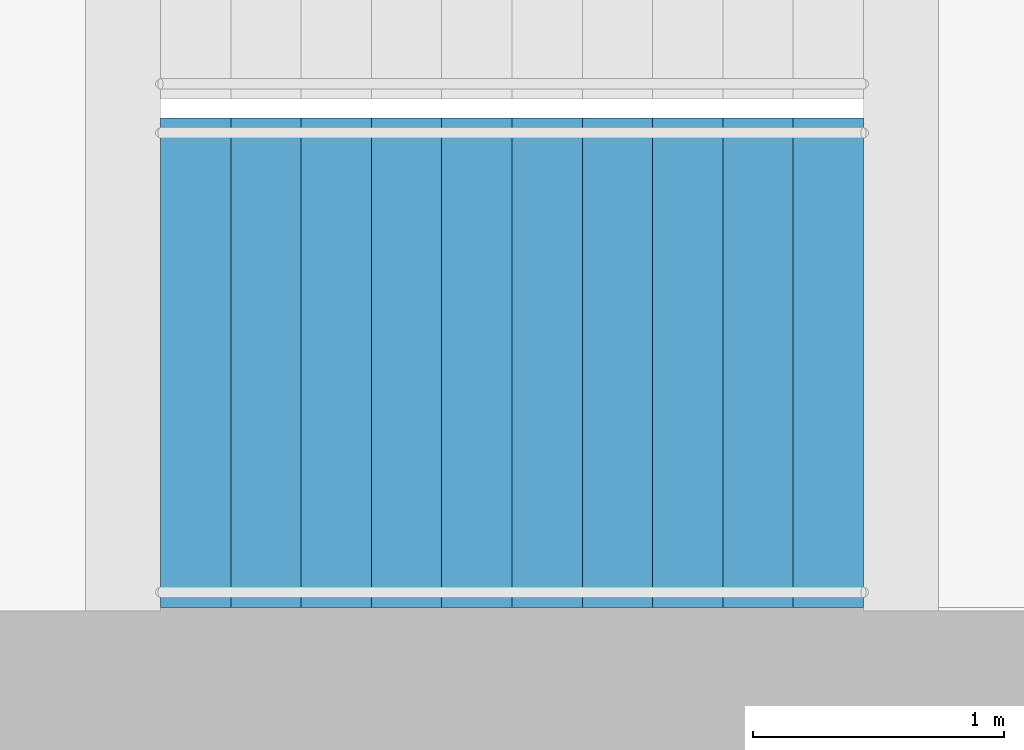
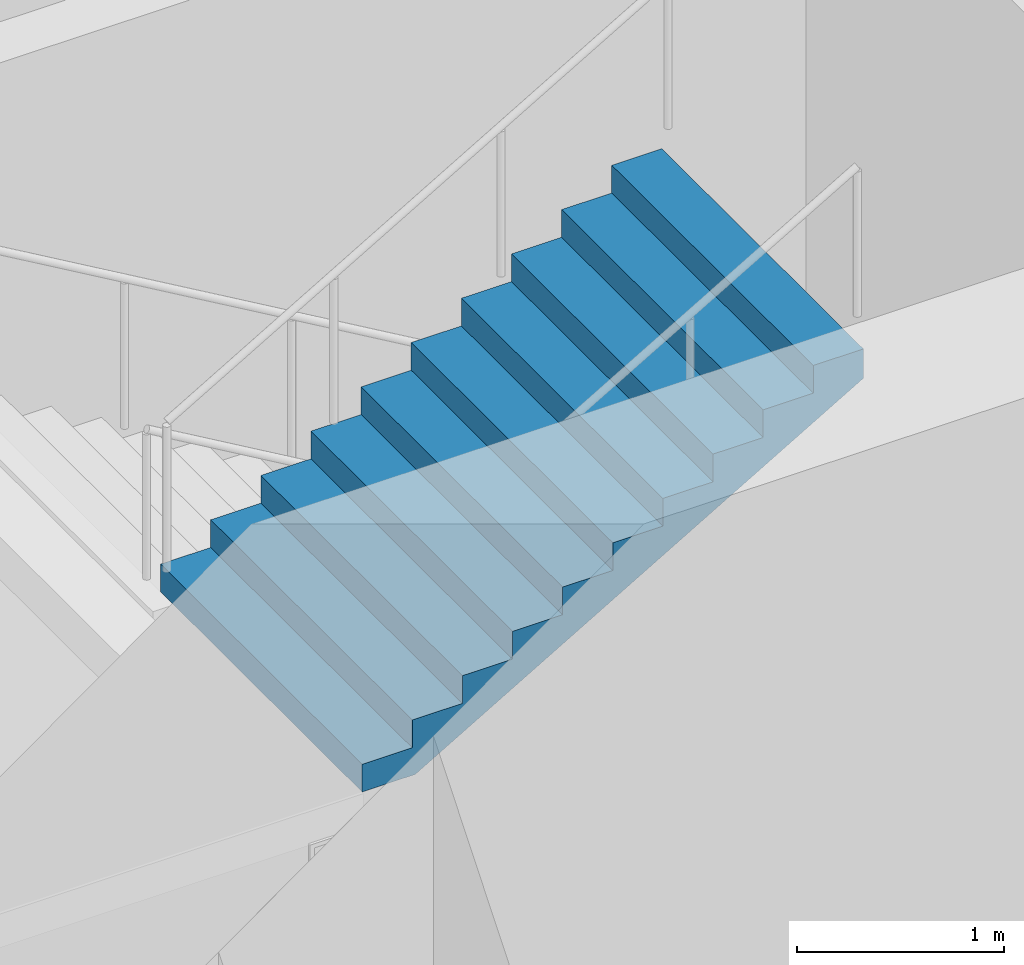
# One storey, part 19 of 22: 1 stair flight, 1 element without a shape of its own.
"""IFC4 building model written with IfcOpenShell, lengths in metres."""

import ifcopenshell
import ifcopenshell.guid

model = None  # the IFC model being written
_history = None  # IfcOwnerHistory: only IFC2X3 demands one
_inside = {}  # id of a spatial element -> (the spatial element, [elements in it])
_under = {}  # id of a project, library or spatial element -> (it, [spatial elements below it])
_declared = {}  # id of a project -> (the project, [libraries it declares])
_typed = {}  # id of a type object -> (the type object, [elements of that type])
_made_of = {}  # id of a material, layer set ... -> (it, [elements and type objects made of it])


def new_model(schema):
    """Start an empty IFC model of exactly this schema.

    Asked for "IFC4X3", IfcOpenShell would pick the latest addendum, in which some entities
    have other attributes; the version numbers below select the first issue.
    IFC2X3 requires an IfcOwnerHistory on every rooted entity: one is made here for all.
    """
    global model, _history
    if schema == "IFC4X3":
        model = ifcopenshell.file(schema_version=(4, 3, 0, 0))
    else:
        model = ifcopenshell.file(schema=schema)
    _inside.clear()
    _under.clear()
    _declared.clear()
    _typed.clear()
    _made_of.clear()
    _history = None
    if model.schema == "IFC2X3":
        org = make("IfcOrganization", Name="unknown")
        user = make(
            "IfcPersonAndOrganization",
            ThePerson=make("IfcPerson", FamilyName="unknown"),
            TheOrganization=org,
        )
        app = make(
            "IfcApplication",
            ApplicationDeveloper=org,
            Version="unknown",
            ApplicationFullName="unknown",
            ApplicationIdentifier="unknown",
        )
        _history = make(
            "IfcOwnerHistory",
            OwningUser=user,
            OwningApplication=app,
            ChangeAction="ADDED",
            CreationDate=0,
        )
    return model


def make(cls, **values):
    """One entity of the class cls with the attributes given. An attribute that is None is left unset."""
    return model.create_entity(
        cls, **{name: value for name, value in values.items() if value is not None}
    )


def rooted(cls, **values):
    """An entity with a GlobalId (a new one), such as an element, a storey or a relation."""
    return make(cls, GlobalId=ifcopenshell.guid.new(), OwnerHistory=_history, **values)


def si_unit(unit_type, name, prefix=None):
    """IfcSIUnit, for example si_unit("LENGTHUNIT", "METRE", prefix="MILLI")."""
    return make("IfcSIUnit", UnitType=unit_type, Prefix=prefix, Name=name)


def assignment(units):
    """IfcUnitAssignment: the units of a project."""
    return None if units is None else make("IfcUnitAssignment", Units=units)


def point(xyz):
    """IfcCartesianPoint."""
    return None if xyz is None else make("IfcCartesianPoint", Coordinates=xyz)


def direction(xyz):
    """IfcDirection."""
    return None if xyz is None else make("IfcDirection", DirectionRatios=xyz)


def frame(location, z_axis=None, x_axis=None):
    """IfcAxis2Placement3D, a coordinate frame: its origin and axes. An axis left out is left unset."""
    return make(
        "IfcAxis2Placement3D",
        Location=point(location),
        Axis=direction(z_axis),
        RefDirection=direction(x_axis),
    )


def origin():
    """The frame at (0, 0, 0) with its axes left unset."""
    return frame((0.0, 0.0, 0.0))


def place(relative_to, where):
    """IfcLocalPlacement: puts the frame where relative to a parent placement (None: the world)."""
    return make(
        "IfcLocalPlacement", PlacementRelTo=relative_to, RelativePlacement=where
    )


def context(
    kind, dimensions, precision=None, world=None, true_north=None, identifier=None
):
    """IfcGeometricRepresentationContext, for example the 3D "Model" context."""
    return make(
        "IfcGeometricRepresentationContext",
        ContextIdentifier=identifier,
        ContextType=kind,
        CoordinateSpaceDimension=dimensions,
        Precision=precision,
        WorldCoordinateSystem=world,
        TrueNorth=true_north,
    )


def subcontext(parent, identifier, kind, view, scale=None):
    """IfcGeometricRepresentationSubContext, for example "Body" below "Model"."""
    return make(
        "IfcGeometricRepresentationSubContext",
        ContextIdentifier=identifier,
        ContextType=kind,
        ParentContext=parent,
        TargetScale=scale,
        TargetView=view,
    )


def project(units=None, contexts=None):
    """IfcProject with its units and contexts."""
    return rooted(
        "IfcProject",
        Name="project",
        RepresentationContexts=contexts,
        UnitsInContext=assignment(units),
    )


def spatial(cls, under=None, at=None, **own):
    """A site, building, storey or space (cls), placed at a placement, below another one or the project."""
    s = rooted(cls, ObjectPlacement=at, **own)
    if under is not None:
        _under.setdefault(under.id(), (under, []))[1].append(s)
    return s


def point_list(points):
    """IfcCartesianPointList2D or 3D."""
    cls = (
        "IfcCartesianPointList2D" if len(points[0]) == 2 else "IfcCartesianPointList3D"
    )
    return make(cls, CoordList=points)


def triangles(points, corners, closed=None, point_numbers=None):
    """IfcTriangulatedFaceSet: each triangle names its three corners, points numbered from 1."""
    return make(
        "IfcTriangulatedFaceSet",
        Coordinates=point_list(points),
        Closed=closed,
        CoordIndex=corners,
        PnIndex=point_numbers,
    )


def shape(context_of_items, identifier, shape_type, items):
    """IfcShapeRepresentation: the items that make up one representation, for example the "Body"."""
    return make(
        "IfcShapeRepresentation",
        ContextOfItems=context_of_items,
        RepresentationIdentifier=identifier,
        RepresentationType=shape_type,
        Items=items,
    )


def material(Name=None, Category=None):
    """IfcMaterial."""
    return make("IfcMaterial", Name=Name, Category=Category)


def made_of(thing, what):
    """Note that an element or type object is made of a material, layer set ...; save() writes the relation."""
    if what is not None:
        _made_of.setdefault(what.id(), (what, []))[1].append(thing)
    return thing


def type_object(cls, material=None, **own):
    """A type object (cls), such as IfcWallType, which elements share."""
    return made_of(rooted(cls, **own), material)


def element(
    cls,
    number,
    at=None,
    inside=None,
    cuts=None,
    type_object=None,
    material=None,
    context=None,
    identifier="Body",
    shape_type=None,
    held_by="IfcProductDefinitionShape",
    body=None,
    shapes=None,
    **own,
):
    """One element of the class cls, such as IfcWall. Its Tag is "e" and its number.

    at: its placement. inside: the storey or other place that contains it. cuts: it is an
    opening in that element (IfcRelVoidsElement). A single representation is given by context,
    identifier, shape_type and body (its items); several are given by shapes. held_by: the class
    of the entity that holds the representations. save() writes the other relations.
    """
    e = rooted(cls, Tag="e%d" % number, ObjectPlacement=at, **own)
    if body is not None:
        shapes = [shape(context, identifier, shape_type, body)]
    if shapes is not None:
        e.Representation = make(held_by, Representations=shapes)
    if inside is not None:
        _inside.setdefault(inside.id(), (inside, []))[1].append(e)
    if cuts is not None:
        rooted(
            "IfcRelVoidsElement", RelatingBuildingElement=cuts, RelatedOpeningElement=e
        )
    if type_object is not None:
        _typed.setdefault(type_object.id(), (type_object, []))[1].append(e)
    return made_of(e, material)


def aggregate(whole, parts):
    """IfcRelAggregates: a whole, such as a stair, and the parts it consists of."""
    return rooted("IfcRelAggregates", RelatingObject=whole, RelatedObjects=parts)


def save(model, path):
    """Write the relations noted so far, then the file.

    IfcRelAggregates (storeys below a building ...), IfcRelContainedInSpatialStructure (elements
    in a storey), IfcRelDefinesByType, IfcRelAssociatesMaterial and IfcRelDeclares: one each for
    every whole, place, type object, material and project.
    """
    for whole, parts in _under.values():
        aggregate(whole, parts)
    for where, things in _inside.values():
        rooted(
            "IfcRelContainedInSpatialStructure",
            RelatedElements=things,
            RelatingStructure=where,
        )
    for kind, things in _typed.values():
        rooted("IfcRelDefinesByType", RelatedObjects=things, RelatingType=kind)
    for what, things in _made_of.values():
        rooted("IfcRelAssociatesMaterial", RelatedObjects=things, RelatingMaterial=what)
    for by, libraries in _declared.values():
        rooted("IfcRelDeclares", RelatingContext=by, RelatedDefinitions=libraries)
    model.write(path)


model = new_model("IFC4")

# Units and contexts
model_context = context("Model", 3, precision=1e-05, world=origin(), true_north=direction((0.0, 1.0)))
body_context = subcontext(model_context, "Body", "Model", "MODEL_VIEW")
ifc_project = project(units=[si_unit("LENGTHUNIT", "METRE"), si_unit("AREAUNIT", "SQUARE_METRE"), si_unit("VOLUMEUNIT", "CUBIC_METRE"), si_unit("PLANEANGLEUNIT", "RADIAN"), si_unit("MASSUNIT", "GRAM", prefix="KILO")], contexts=[model_context])

# Site, building, storey
site_placement = place(None, origin())
site = spatial("IfcSite", under=ifc_project, at=site_placement, CompositionType="ELEMENT")
building_placement = place(site_placement, origin())
building = spatial("IfcBuilding", under=site, at=building_placement, Name="Orbita Commons", CompositionType="ELEMENT")
storey_placement = place(building_placement, frame((0.0, 0.0, 133.14990234375)))
storey = spatial("IfcBuildingStorey", under=building, at=storey_placement, Name="L33", CompositionType="ELEMENT", Elevation=133.14990234375)

# Stair, stair flight
ifc_material_1 = material(Name="Precast concrete C40/50", Category="concrete")
stair_type = type_object("IfcStairType", Name="Exit stair S2 4 flights 11 risers 164", PredefinedType="HALF_TURN_STAIR", material=ifc_material_1)
stair_placement = place(storey_placement, origin())
stair = element("IfcStair", 1, at=stair_placement, inside=storey, type_object=stair_type, Name="Exit stair S2 L33", PredefinedType="HALF_TURN_STAIR")
ifc_material_2 = material(Name="Precast concrete C40/50", Category="concrete")
stair_flight_type = type_object("IfcStairFlightType", Name="Stair flight 11 risers 164 x 280", PredefinedType="STRAIGHT", material=ifc_material_2)
stair_flight_placement = place(storey_placement, frame((60.75, 27.25, 5.400146484375), z_axis=(0.0, 0.0, 1.0), x_axis=(1.0, 0.0, 0.0)))
stair_flight = element("IfcStairFlight", 2, at=stair_flight_placement, type_object=stair_flight_type, Name="S2 flight 4", NumberOfRisers=11, NumberOfTreads=10, PredefinedType="STRAIGHT", RiserHeight=0.163636364, TreadLength=0.28, context=body_context, shape_type="Tessellation", body=[
    triangles([(0.0, 0.974976, 0.0), (0.0, 0.974976, 0.020455), (0.0, 0.81248, 0.020455), (0.0, 0.81248, 0.0), (0.0, 0.649984, 0.020455), (0.0, 0.649984, 0.0), (0.0, 0.487488, 0.020455), (0.0, 0.487488, 0.0), (0.0, 0.324992, 0.020455), (0.0, 0.324992, 0.0), (0.0, 0.162496, 0.020455), (0.0, 0.162496, 0.0), (0.0, 0.0, 0.020455), (0.0, 0.0, 0.0), (0.0, -0.162496, 0.020455), (0.0, -0.162496, 0.0), (0.0, -0.324992, 0.020455), (0.0, -0.324992, 0.0), (0.0, -0.487488, 0.020455), (0.0, -0.487488, 0.0), (0.0, -0.649984, 0.020455), (0.0, -0.649984, 0.0), (0.0, -0.81248, 0.020455), (0.0, -0.81248, 0.0), (0.0, -0.974976, 0.020455), (0.0, -0.974976, 0.0), (0.0, 0.974976, 0.040909), (0.0, 0.81248, 0.040909), (0.0, 0.649984, 0.040909), (0.0, 0.487488, 0.040909), (0.0, 0.324992, 0.040909), (0.0, 0.162496, 0.040909), (0.0, 0.0, 0.040909), (0.0, -0.162496, 0.040909), (0.0, -0.324992, 0.040909), (0.0, -0.487488, 0.040909), (0.0, -0.649984, 0.040909), (0.0, -0.81248, 0.040909), (0.0, -0.974976, 0.040909), (0.0, 0.974976, 0.061364), (0.0, 0.81248, 0.061364), (0.0, 0.649984, 0.061364), (0.0, 0.487488, 0.061364), (0.0, 0.324992, 0.061364), (0.0, 0.162496, 0.061364), (0.0, 0.0, 0.061364), (0.0, -0.162496, 0.061364), (0.0, -0.324992, 0.061364), (0.0, -0.487488, 0.061364), (0.0, -0.649984, 0.061364), (0.0, -0.81248, 0.061364), (0.0, -0.974976, 0.061364), (0.0, 0.974976, 0.081818), (0.0, 0.81248, 0.081818), (0.0, 0.649984, 0.081818), (0.0, 0.487488, 0.081818), (0.0, 0.324992, 0.081818), (0.0, 0.162496, 0.081818), (0.0, 0.0, 0.081818), (0.0, -0.162496, 0.081818), (0.0, -0.324992, 0.081818), (0.0, -0.487488, 0.081818), (0.0, -0.649984, 0.081818), (0.0, -0.81248, 0.081818), (0.0, -0.974976, 0.081818), (0.0, 0.974976, 0.102273), (0.0, 0.81248, 0.102273), (0.0, 0.649984, 0.102273), (0.0, 0.487488, 0.102273), (0.0, 0.324992, 0.102273), (0.0, 0.162496, 0.102273), (0.0, 0.0, 0.102273), (0.0, -0.162496, 0.102273), (0.0, -0.324992, 0.102273), (0.0, -0.487488, 0.102273), (0.0, -0.649984, 0.102273), (0.0, -0.81248, 0.102273), (0.0, -0.974976, 0.102273), (0.0, 0.974976, 0.122727), (0.0, 0.81248, 0.122727), (0.0, 0.649984, 0.122727), (0.0, 0.487488, 0.122727), (0.0, 0.324992, 0.122727), (0.0, 0.162496, 0.122727), (0.0, 0.0, 0.122727), (0.0, -0.162496, 0.122727), (0.0, -0.324992, 0.122727), (0.0, -0.487488, 0.122727), (0.0, -0.649984, 0.122727), (0.0, -0.81248, 0.122727), (0.0, -0.974976, 0.122727), (0.0, 0.974976, 0.143182), (0.0, 0.81248, 0.143182), (0.0, 0.649984, 0.143182), (0.0, 0.487488, 0.143182), (0.0, 0.324992, 0.143182), (0.0, 0.162496, 0.143182), (0.0, 0.0, 0.143182), (0.0, -0.162496, 0.143182), (0.0, -0.324992, 0.143182), (0.0, -0.487488, 0.143182), (0.0, -0.649984, 0.143182), (0.0, -0.81248, 0.143182), (0.0, -0.974976, 0.143182), (0.0, 0.974976, 0.163636), (0.0, 0.81248, 0.163636), (0.0, 0.649984, 0.163636), (0.0, 0.487488, 0.163636), (0.0, 0.324992, 0.163636), (0.0, 0.162496, 0.163636), (0.0, 0.0, 0.163636), (0.0, -0.162496, 0.163636), (0.0, -0.324992, 0.163636), (0.0, -0.487488, 0.163636), (0.0, -0.649984, 0.163636), (0.0, -0.81248, 0.163636), (0.0, -0.974976, 0.163636), (0.28, 0.974976, 0.163636), (0.28, 0.81248, 0.163636), (0.28, 0.649984, 0.163636), (0.28, 0.487488, 0.163636), (0.28, 0.324992, 0.163636), (0.28, 0.162496, 0.163636), (0.28, 0.0, 0.163636), (0.28, -0.162496, 0.163636), (0.28, -0.324992, 0.163636), (0.28, -0.487488, 0.163636), (0.28, -0.649984, 0.163636), (0.28, -0.81248, 0.163636), (0.28, -0.974976, 0.163636), (0.28, 0.974976, 0.327273), (0.28, 0.81248, 0.327273), (0.28, 0.649984, 0.327273), (0.28, 0.487488, 0.327273), (0.28, 0.324992, 0.327273), (0.28, 0.162496, 0.327273), (0.28, 0.0, 0.327273), (0.28, -0.162496, 0.327273), (0.28, -0.324992, 0.327273), (0.28, -0.487488, 0.327273), (0.28, -0.649984, 0.327273), (0.28, -0.81248, 0.327273), (0.28, -0.974976, 0.327273), (0.56, 0.974976, 0.327273), (0.56, 0.81248, 0.327273), (0.56, 0.649984, 0.327273), (0.56, 0.487488, 0.327273), (0.56, 0.324992, 0.327273), (0.56, 0.162496, 0.327273), (0.56, 0.0, 0.327273), (0.56, -0.162496, 0.327273), (0.56, -0.324992, 0.327273), (0.56, -0.487488, 0.327273), (0.56, -0.649984, 0.327273), (0.56, -0.81248, 0.327273), (0.56, -0.974976, 0.327273), (0.56, 0.974976, 0.490909), (0.56, 0.81248, 0.490909), (0.56, 0.649984, 0.490909), (0.56, 0.487488, 0.490909), (0.56, 0.324992, 0.490909), (0.56, 0.162496, 0.490909), (0.56, 0.0, 0.490909), (0.56, -0.162496, 0.490909), (0.56, -0.324992, 0.490909), (0.56, -0.487488, 0.490909), (0.56, -0.649984, 0.490909), (0.56, -0.81248, 0.490909), (0.56, -0.974976, 0.490909), (0.84, 0.974976, 0.490909), (0.84, 0.81248, 0.490909), (0.84, 0.649984, 0.490909), (0.84, 0.487488, 0.490909), (0.84, 0.324992, 0.490909), (0.84, 0.162496, 0.490909), (0.84, 0.0, 0.490909), (0.84, -0.162496, 0.490909), (0.84, -0.324992, 0.490909), (0.84, -0.487488, 0.490909), (0.84, -0.649984, 0.490909), (0.84, -0.81248, 0.490909), (0.84, -0.974976, 0.490909), (0.84, 0.974976, 0.654545), (0.84, 0.81248, 0.654545), (0.84, 0.649984, 0.654545), (0.84, 0.487488, 0.654545), (0.84, 0.324992, 0.654545), (0.84, 0.162496, 0.654545), (0.84, 0.0, 0.654545), (0.84, -0.162496, 0.654545), (0.84, -0.324992, 0.654545), (0.84, -0.487488, 0.654545), (0.84, -0.649984, 0.654545), (0.84, -0.81248, 0.654545), (0.84, -0.974976, 0.654545), (1.12, 0.974976, 0.654545), (1.12, 0.81248, 0.654545), (1.12, 0.649984, 0.654545), (1.12, 0.487488, 0.654545), (1.12, 0.324992, 0.654545), (1.12, 0.162496, 0.654545), (1.12, 0.0, 0.654545), (1.12, -0.162496, 0.654545), (1.12, -0.324992, 0.654545), (1.12, -0.487488, 0.654545), (1.12, -0.649984, 0.654545), (1.12, -0.81248, 0.654545), (1.12, -0.974976, 0.654545), (1.12, 0.974976, 0.818182), (1.12, 0.81248, 0.818182), (1.12, 0.649984, 0.818182), (1.12, 0.487488, 0.818182), (1.12, 0.324992, 0.818182), (1.12, 0.162496, 0.818182), (1.12, 0.0, 0.818182), (1.12, -0.162496, 0.818182), (1.12, -0.324992, 0.818182), (1.12, -0.487488, 0.818182), (1.12, -0.649984, 0.818182), (1.12, -0.81248, 0.818182), (1.12, -0.974976, 0.818182), (1.4, 0.974976, 0.818182), (1.4, 0.81248, 0.818182), (1.4, 0.649984, 0.818182), (1.4, 0.487488, 0.818182), (1.4, 0.324992, 0.818182), (1.4, 0.162496, 0.818182), (1.4, 0.0, 0.818182), (1.4, -0.162496, 0.818182), (1.4, -0.324992, 0.818182), (1.4, -0.487488, 0.818182), (1.4, -0.649984, 0.818182), (1.4, -0.81248, 0.818182), (1.4, -0.974976, 0.818182), (1.4, 0.974976, 0.981818), (1.4, 0.81248, 0.981818), (1.4, 0.649984, 0.981818), (1.4, 0.487488, 0.981818), (1.4, 0.324992, 0.981818), (1.4, 0.162496, 0.981818), (1.4, 0.0, 0.981818), (1.4, -0.162496, 0.981818), (1.4, -0.324992, 0.981818), (1.4, -0.487488, 0.981818), (1.4, -0.649984, 0.981818), (1.4, -0.81248, 0.981818), (1.4, -0.974976, 0.981818), (1.68, 0.974976, 0.981818), (1.68, 0.81248, 0.981818), (1.68, 0.649984, 0.981818), (1.68, 0.487488, 0.981818), (1.68, 0.324992, 0.981818), (1.68, 0.162496, 0.981818), (1.68, 0.0, 0.981818), (1.68, -0.162496, 0.981818), (1.68, -0.324992, 0.981818), (1.68, -0.487488, 0.981818), (1.68, -0.649984, 0.981818), (1.68, -0.81248, 0.981818), (1.68, -0.974976, 0.981818), (1.68, 0.974976, 1.145455), (1.68, 0.81248, 1.145455), (1.68, 0.649984, 1.145455), (1.68, 0.487488, 1.145455), (1.68, 0.324992, 1.145455), (1.68, 0.162496, 1.145455), (1.68, 0.0, 1.145455), (1.68, -0.162496, 1.145455), (1.68, -0.324992, 1.145455), (1.68, -0.487488, 1.145455), (1.68, -0.649984, 1.145455), (1.68, -0.81248, 1.145455), (1.68, -0.974976, 1.145455), (1.96, 0.974976, 1.145455), (1.96, 0.81248, 1.145455), (1.96, 0.649984, 1.145455), (1.96, 0.487488, 1.145455), (1.96, 0.324992, 1.145455), (1.96, 0.162496, 1.145455), (1.96, 0.0, 1.145455), (1.96, -0.162496, 1.145455), (1.96, -0.324992, 1.145455), (1.96, -0.487488, 1.145455), (1.96, -0.649984, 1.145455), (1.96, -0.81248, 1.145455), (1.96, -0.974976, 1.145455), (1.96, 0.974976, 1.309091), (1.96, 0.81248, 1.309091), (1.96, 0.649984, 1.309091), (1.96, 0.487488, 1.309091), (1.96, 0.324992, 1.309091), (1.96, 0.162496, 1.309091), (1.96, 0.0, 1.309091), (1.96, -0.162496, 1.309091), (1.96, -0.324992, 1.309091), (1.96, -0.487488, 1.309091), (1.96, -0.649984, 1.309091), (1.96, -0.81248, 1.309091), (1.96, -0.974976, 1.309091), (2.24, 0.974976, 1.309091), (2.24, 0.81248, 1.309091), (2.24, 0.649984, 1.309091), (2.24, 0.487488, 1.309091), (2.24, 0.324992, 1.309091), (2.24, 0.162496, 1.309091), (2.24, 0.0, 1.309091), (2.24, -0.162496, 1.309091), (2.24, -0.324992, 1.309091), (2.24, -0.487488, 1.309091), (2.24, -0.649984, 1.309091), (2.24, -0.81248, 1.309091), (2.24, -0.974976, 1.309091), (2.24, 0.974976, 1.472727), (2.24, 0.81248, 1.472727), (2.24, 0.649984, 1.472727), (2.24, 0.487488, 1.472727), (2.24, 0.324992, 1.472727), (2.24, 0.162496, 1.472727), (2.24, 0.0, 1.472727), (2.24, -0.162496, 1.472727), (2.24, -0.324992, 1.472727), (2.24, -0.487488, 1.472727), (2.24, -0.649984, 1.472727), (2.24, -0.81248, 1.472727), (2.24, -0.974976, 1.472727), (2.52, 0.974976, 1.472727), (2.52, 0.81248, 1.472727), (2.52, 0.649984, 1.472727), (2.52, 0.487488, 1.472727), (2.52, 0.324992, 1.472727), (2.52, 0.162496, 1.472727), (2.52, 0.0, 1.472727), (2.52, -0.162496, 1.472727), (2.52, -0.324992, 1.472727), (2.52, -0.487488, 1.472727), (2.52, -0.649984, 1.472727), (2.52, -0.81248, 1.472727), (2.52, -0.974976, 1.472727), (2.52, 0.974976, 1.636364), (2.52, 0.81248, 1.636364), (2.52, 0.649984, 1.636364), (2.52, 0.487488, 1.636364), (2.52, 0.324992, 1.636364), (2.52, 0.162496, 1.636364), (2.52, 0.0, 1.636364), (2.52, -0.162496, 1.636364), (2.52, -0.324992, 1.636364), (2.52, -0.487488, 1.636364), (2.52, -0.649984, 1.636364), (2.52, -0.81248, 1.636364), (2.52, -0.974976, 1.636364), (2.8, 0.974976, 1.636364), (2.8, 0.81248, 1.636364), (2.8, 0.649984, 1.636364), (2.8, 0.487488, 1.636364), (2.8, 0.324992, 1.636364), (2.8, 0.162496, 1.636364), (2.8, 0.0, 1.636364), (2.8, -0.162496, 1.636364), (2.8, -0.324992, 1.636364), (2.8, -0.487488, 1.636364), (2.8, -0.649984, 1.636364), (2.8, -0.81248, 1.636364), (2.8, -0.974976, 1.636364), (2.8, 0.974976, 1.614661), (2.8, 0.81248, 1.614661), (2.8, 0.649984, 1.614661), (2.8, 0.487488, 1.614661), (2.8, 0.324992, 1.614661), (2.8, 0.162496, 1.614661), (2.8, 0.0, 1.614661), (2.8, -0.162496, 1.614661), (2.8, -0.324992, 1.614661), (2.8, -0.487488, 1.614661), (2.8, -0.649984, 1.614661), (2.8, -0.81248, 1.614661), (2.8, -0.974976, 1.614661), (2.8, 0.974976, 1.592958), (2.8, 0.81248, 1.592958), (2.8, 0.649984, 1.592958), (2.8, 0.487488, 1.592958), (2.8, 0.324992, 1.592958), (2.8, 0.162496, 1.592958), (2.8, 0.0, 1.592958), (2.8, -0.162496, 1.592958), (2.8, -0.324992, 1.592958), (2.8, -0.487488, 1.592958), (2.8, -0.649984, 1.592958), (2.8, -0.81248, 1.592958), (2.8, -0.974976, 1.592958), (2.8, 0.974976, 1.571255), (2.8, 0.81248, 1.571255), (2.8, 0.649984, 1.571255), (2.8, 0.487488, 1.571255), (2.8, 0.324992, 1.571255), (2.8, 0.162496, 1.571255), (2.8, 0.0, 1.571255), (2.8, -0.162496, 1.571255), (2.8, -0.324992, 1.571255), (2.8, -0.487488, 1.571255), (2.8, -0.649984, 1.571255), (2.8, -0.81248, 1.571255), (2.8, -0.974976, 1.571255), (2.8, 0.974976, 1.549551), (2.8, 0.81248, 1.549551), (2.8, 0.649984, 1.549551), (2.8, 0.487488, 1.549551), (2.8, 0.324992, 1.549551), (2.8, 0.162496, 1.549551), (2.8, 0.0, 1.549551), (2.8, -0.162496, 1.549551), (2.8, -0.324992, 1.549551), (2.8, -0.487488, 1.549551), (2.8, -0.649984, 1.549551), (2.8, -0.81248, 1.549551), (2.8, -0.974976, 1.549551), (2.8, 0.974976, 1.527848), (2.8, 0.81248, 1.527848), (2.8, 0.649984, 1.527848), (2.8, 0.487488, 1.527848), (2.8, 0.324992, 1.527848), (2.8, 0.162496, 1.527848), (2.8, 0.0, 1.527848), (2.8, -0.162496, 1.527848), (2.8, -0.324992, 1.527848), (2.8, -0.487488, 1.527848), (2.8, -0.649984, 1.527848), (2.8, -0.81248, 1.527848), (2.8, -0.974976, 1.527848), (2.8, 0.974976, 1.506145), (2.8, 0.81248, 1.506145), (2.8, 0.649984, 1.506145), (2.8, 0.487488, 1.506145), (2.8, 0.324992, 1.506145), (2.8, 0.162496, 1.506145), (2.8, 0.0, 1.506145), (2.8, -0.162496, 1.506145), (2.8, -0.324992, 1.506145), (2.8, -0.487488, 1.506145), (2.8, -0.649984, 1.506145), (2.8, -0.81248, 1.506145), (2.8, -0.974976, 1.506145), (2.8, 0.974976, 1.484442), (2.8, 0.81248, 1.484442), (2.8, 0.649984, 1.484442), (2.8, 0.487488, 1.484442), (2.8, 0.324992, 1.484442), (2.8, 0.162496, 1.484442), (2.8, 0.0, 1.484442), (2.8, -0.162496, 1.484442), (2.8, -0.324992, 1.484442), (2.8, -0.487488, 1.484442), (2.8, -0.649984, 1.484442), (2.8, -0.81248, 1.484442), (2.8, -0.974976, 1.484442), (2.8, 0.974976, 1.462739), (2.8, 0.81248, 1.462739), (2.8, 0.649984, 1.462739), (2.8, 0.487488, 1.462739), (2.8, 0.324992, 1.462739), (2.8, 0.162496, 1.462739), (2.8, 0.0, 1.462739), (2.8, -0.162496, 1.462739), (2.8, -0.324992, 1.462739), (2.8, -0.487488, 1.462739), (2.8, -0.649984, 1.462739), (2.8, -0.81248, 1.462739), (2.8, -0.974976, 1.462739), (0.29709, 0.974976, 0.0), (0.29709, 0.81248, 0.0), (0.29709, 0.649984, 0.0), (0.29709, 0.487488, 0.0), (0.29709, 0.324992, 0.0), (0.29709, 0.162496, 0.0), (0.29709, 0.0, 0.0), (0.29709, -0.162496, 0.0), (0.29709, -0.324992, 0.0), (0.29709, -0.487488, 0.0), (0.29709, -0.649984, 0.0), (0.29709, -0.81248, 0.0), (0.29709, -0.974976, 0.0)], [[3, 2, 1], [4, 3, 1], [5, 3, 4], [6, 5, 4], [7, 5, 6], [8, 7, 6], [9, 7, 8], [10, 9, 8], [11, 9, 10], [12, 11, 10], [13, 11, 12], [14, 13, 12], [15, 13, 14], [16, 15, 14], [17, 15, 16], [18, 17, 16], [19, 17, 18], [20, 19, 18], [21, 19, 20], [22, 21, 20], [23, 21, 22], [24, 23, 22], [25, 23, 24], [26, 25, 24], [28, 27, 2], [3, 28, 2], [29, 28, 3], [5, 29, 3], [30, 29, 5], [7, 30, 5], [31, 30, 7], [9, 31, 7], [32, 31, 9], [11, 32, 9], [33, 32, 11], [13, 33, 11], [34, 33, 13], [15, 34, 13], [35, 34, 15], [17, 35, 15], [36, 35, 17], [19, 36, 17], [37, 36, 19], [21, 37, 19], [38, 37, 21], [23, 38, 21], [39, 38, 23], [25, 39, 23], [41, 40, 27], [28, 41, 27], [42, 41, 28], [29, 42, 28], [43, 42, 29], [30, 43, 29], [44, 43, 30], [31, 44, 30], [45, 44, 31], [32, 45, 31], [46, 45, 32], [33, 46, 32], [47, 46, 33], [34, 47, 33], [48, 47, 34], [35, 48, 34], [49, 48, 35], [36, 49, 35], [50, 49, 36], [37, 50, 36], [51, 50, 37], [38, 51, 37], [52, 51, 38], [39, 52, 38], [54, 53, 40], [41, 54, 40], [55, 54, 41], [42, 55, 41], [56, 55, 42], [43, 56, 42], [57, 56, 43], [44, 57, 43], [58, 57, 44], [45, 58, 44], [59, 58, 45], [46, 59, 45], [60, 59, 46], [47, 60, 46], [61, 60, 47], [48, 61, 47], [62, 61, 48], [49, 62, 48], [63, 62, 49], [50, 63, 49], [64, 63, 50], [51, 64, 50], [65, 64, 51], [52, 65, 51], [67, 66, 53], [54, 67, 53], [68, 67, 54], [55, 68, 54], [69, 68, 55], [56, 69, 55], [70, 69, 56], [57, 70, 56], [71, 70, 57], [58, 71, 57], [72, 71, 58], [59, 72, 58], [73, 72, 59], [60, 73, 59], [74, 73, 60], [61, 74, 60], [75, 74, 61], [62, 75, 61], [76, 75, 62], [63, 76, 62], [77, 76, 63], [64, 77, 63], [78, 77, 64], [65, 78, 64], [80, 79, 66], [67, 80, 66], [81, 80, 67], [68, 81, 67], [82, 81, 68], [69, 82, 68], [83, 82, 69], [70, 83, 69], [84, 83, 70], [71, 84, 70], [85, 84, 71], [72, 85, 71], [86, 85, 72], [73, 86, 72], [87, 86, 73], [74, 87, 73], [88, 87, 74], [75, 88, 74], [89, 88, 75], [76, 89, 75], [90, 89, 76], [77, 90, 76], [91, 90, 77], [78, 91, 77], [93, 92, 79], [80, 93, 79], [94, 93, 80], [81, 94, 80], [95, 94, 81], [82, 95, 81], [96, 95, 82], [83, 96, 82], [97, 96, 83], [84, 97, 83], [98, 97, 84], [85, 98, 84], [99, 98, 85], [86, 99, 85], [100, 99, 86], [87, 100, 86], [101, 100, 87], [88, 101, 87], [102, 101, 88], [89, 102, 88], [103, 102, 89], [90, 103, 89], [104, 103, 90], [91, 104, 90], [106, 105, 92], [93, 106, 92], [107, 106, 93], [94, 107, 93], [108, 107, 94], [95, 108, 94], [109, 108, 95], [96, 109, 95], [110, 109, 96], [97, 110, 96], [111, 110, 97], [98, 111, 97], [112, 111, 98], [99, 112, 98], [113, 112, 99], [100, 113, 99], [114, 113, 100], [101, 114, 100], [115, 114, 101], [102, 115, 101], [116, 115, 102], [103, 116, 102], [117, 116, 103], [104, 117, 103], [119, 118, 105], [106, 119, 105], [120, 119, 106], [107, 120, 106], [121, 120, 107], [108, 121, 107], [122, 121, 108], [109, 122, 108], [123, 122, 109], [110, 123, 109], [124, 123, 110], [111, 124, 110], [125, 124, 111], [112, 125, 111], [126, 125, 112], [113, 126, 112], [127, 126, 113], [114, 127, 113], [128, 127, 114], [115, 128, 114], [129, 128, 115], [116, 129, 115], [130, 129, 116], [117, 130, 116], [132, 131, 118], [119, 132, 118], [133, 132, 119], [120, 133, 119], [134, 133, 120], [121, 134, 120], [135, 134, 121], [122, 135, 121], [136, 135, 122], [123, 136, 122], [137, 136, 123], [124, 137, 123], [138, 137, 124], [125, 138, 124], [139, 138, 125], [126, 139, 125], [140, 139, 126], [127, 140, 126], [141, 140, 127], [128, 141, 127], [142, 141, 128], [129, 142, 128], [143, 142, 129], [130, 143, 129], [145, 144, 131], [132, 145, 131], [146, 145, 132], [133, 146, 132], [147, 146, 133], [134, 147, 133], [148, 147, 134], [135, 148, 134], [149, 148, 135], [136, 149, 135], [150, 149, 136], [137, 150, 136], [151, 150, 137], [138, 151, 137], [152, 151, 138], [139, 152, 138], [153, 152, 139], [140, 153, 139], [154, 153, 140], [141, 154, 140], [155, 154, 141], [142, 155, 141], [156, 155, 142], [143, 156, 142], [158, 157, 144], [145, 158, 144], [159, 158, 145], [146, 159, 145], [160, 159, 146], [147, 160, 146], [161, 160, 147], [148, 161, 147], [162, 161, 148], [149, 162, 148], [163, 162, 149], [150, 163, 149], [164, 163, 150], [151, 164, 150], [165, 164, 151], [152, 165, 151], [166, 165, 152], [153, 166, 152], [167, 166, 153], [154, 167, 153], [168, 167, 154], [155, 168, 154], [169, 168, 155], [156, 169, 155], [171, 170, 157], [158, 171, 157], [172, 171, 158], [159, 172, 158], [173, 172, 159], [160, 173, 159], [174, 173, 160], [161, 174, 160], [175, 174, 161], [162, 175, 161], [176, 175, 162], [163, 176, 162], [177, 176, 163], [164, 177, 163], [178, 177, 164], [165, 178, 164], [179, 178, 165], [166, 179, 165], [180, 179, 166], [167, 180, 166], [181, 180, 167], [168, 181, 167], [182, 181, 168], [169, 182, 168], [184, 183, 170], [171, 184, 170], [185, 184, 171], [172, 185, 171], [186, 185, 172], [173, 186, 172], [187, 186, 173], [174, 187, 173], [188, 187, 174], [175, 188, 174], [189, 188, 175], [176, 189, 175], [190, 189, 176], [177, 190, 176], [191, 190, 177], [178, 191, 177], [192, 191, 178], [179, 192, 178], [193, 192, 179], [180, 193, 179], [194, 193, 180], [181, 194, 180], [195, 194, 181], [182, 195, 181], [197, 196, 183], [184, 197, 183], [198, 197, 184], [185, 198, 184], [199, 198, 185], [186, 199, 185], [200, 199, 186], [187, 200, 186], [201, 200, 187], [188, 201, 187], [202, 201, 188], [189, 202, 188], [203, 202, 189], [190, 203, 189], [204, 203, 190], [191, 204, 190], [205, 204, 191], [192, 205, 191], [206, 205, 192], [193, 206, 192], [207, 206, 193], [194, 207, 193], [208, 207, 194], [195, 208, 194], [210, 209, 196], [197, 210, 196], [211, 210, 197], [198, 211, 197], [212, 211, 198], [199, 212, 198], [213, 212, 199], [200, 213, 199], [214, 213, 200], [201, 214, 200], [215, 214, 201], [202, 215, 201], [216, 215, 202], [203, 216, 202], [217, 216, 203], [204, 217, 203], [218, 217, 204], [205, 218, 204], [219, 218, 205], [206, 219, 205], [220, 219, 206], [207, 220, 206], [221, 220, 207], [208, 221, 207], [223, 222, 209], [210, 223, 209], [224, 223, 210], [211, 224, 210], [225, 224, 211], [212, 225, 211], [226, 225, 212], [213, 226, 212], [227, 226, 213], [214, 227, 213], [228, 227, 214], [215, 228, 214], [229, 228, 215], [216, 229, 215], [230, 229, 216], [217, 230, 216], [231, 230, 217], [218, 231, 217], [232, 231, 218], [219, 232, 218], [233, 232, 219], [220, 233, 219], [234, 233, 220], [221, 234, 220], [236, 235, 222], [223, 236, 222], [237, 236, 223], [224, 237, 223], [238, 237, 224], [225, 238, 224], [239, 238, 225], [226, 239, 225], [240, 239, 226], [227, 240, 226], [241, 240, 227], [228, 241, 227], [242, 241, 228], [229, 242, 228], [243, 242, 229], [230, 243, 229], [244, 243, 230], [231, 244, 230], [245, 244, 231], [232, 245, 231], [246, 245, 232], [233, 246, 232], [247, 246, 233], [234, 247, 233], [249, 248, 235], [236, 249, 235], [250, 249, 236], [237, 250, 236], [251, 250, 237], [238, 251, 237], [252, 251, 238], [239, 252, 238], [253, 252, 239], [240, 253, 239], [254, 253, 240], [241, 254, 240], [255, 254, 241], [242, 255, 241], [256, 255, 242], [243, 256, 242], [257, 256, 243], [244, 257, 243], [258, 257, 244], [245, 258, 244], [259, 258, 245], [246, 259, 245], [260, 259, 246], [247, 260, 246], [262, 261, 248], [249, 262, 248], [263, 262, 249], [250, 263, 249], [264, 263, 250], [251, 264, 250], [265, 264, 251], [252, 265, 251], [266, 265, 252], [253, 266, 252], [267, 266, 253], [254, 267, 253], [268, 267, 254], [255, 268, 254], [269, 268, 255], [256, 269, 255], [270, 269, 256], [257, 270, 256], [271, 270, 257], [258, 271, 257], [272, 271, 258], [259, 272, 258], [273, 272, 259], [260, 273, 259], [275, 274, 261], [262, 275, 261], [276, 275, 262], [263, 276, 262], [277, 276, 263], [264, 277, 263], [278, 277, 264], [265, 278, 264], [279, 278, 265], [266, 279, 265], [280, 279, 266], [267, 280, 266], [281, 280, 267], [268, 281, 267], [282, 281, 268], [269, 282, 268], [283, 282, 269], [270, 283, 269], [284, 283, 270], [271, 284, 270], [285, 284, 271], [272, 285, 271], [286, 285, 272], [273, 286, 272], [288, 287, 274], [275, 288, 274], [289, 288, 275], [276, 289, 275], [290, 289, 276], [277, 290, 276], [291, 290, 277], [278, 291, 277], [292, 291, 278], [279, 292, 278], [293, 292, 279], [280, 293, 279], [294, 293, 280], [281, 294, 280], [295, 294, 281], [282, 295, 281], [296, 295, 282], [283, 296, 282], [297, 296, 283], [284, 297, 283], [298, 297, 284], [285, 298, 284], [299, 298, 285], [286, 299, 285], [301, 300, 287], [288, 301, 287], [302, 301, 288], [289, 302, 288], [303, 302, 289], [290, 303, 289], [304, 303, 290], [291, 304, 290], [305, 304, 291], [292, 305, 291], [306, 305, 292], [293, 306, 292], [307, 306, 293], [294, 307, 293], [308, 307, 294], [295, 308, 294], [309, 308, 295], [296, 309, 295], [310, 309, 296], [297, 310, 296], [311, 310, 297], [298, 311, 297], [312, 311, 298], [299, 312, 298], [314, 313, 300], [301, 314, 300], [315, 314, 301], [302, 315, 301], [316, 315, 302], [303, 316, 302], [317, 316, 303], [304, 317, 303], [318, 317, 304], [305, 318, 304], [319, 318, 305], [306, 319, 305], [320, 319, 306], [307, 320, 306], [321, 320, 307], [308, 321, 307], [322, 321, 308], [309, 322, 308], [323, 322, 309], [310, 323, 309], [324, 323, 310], [311, 324, 310], [325, 324, 311], [312, 325, 311], [327, 326, 313], [314, 327, 313], [328, 327, 314], [315, 328, 314], [329, 328, 315], [316, 329, 315], [330, 329, 316], [317, 330, 316], [331, 330, 317], [318, 331, 317], [332, 331, 318], [319, 332, 318], [333, 332, 319], [320, 333, 319], [334, 333, 320], [321, 334, 320], [335, 334, 321], [322, 335, 321], [336, 335, 322], [323, 336, 322], [337, 336, 323], [324, 337, 323], [338, 337, 324], [325, 338, 324], [340, 339, 326], [327, 340, 326], [341, 340, 327], [328, 341, 327], [342, 341, 328], [329, 342, 328], [343, 342, 329], [330, 343, 329], [344, 343, 330], [331, 344, 330], [345, 344, 331], [332, 345, 331], [346, 345, 332], [333, 346, 332], [347, 346, 333], [334, 347, 333], [348, 347, 334], [335, 348, 334], [349, 348, 335], [336, 349, 335], [350, 349, 336], [337, 350, 336], [351, 350, 337], [338, 351, 337], [353, 352, 339], [340, 353, 339], [354, 353, 340], [341, 354, 340], [355, 354, 341], [342, 355, 341], [356, 355, 342], [343, 356, 342], [357, 356, 343], [344, 357, 343], [358, 357, 344], [345, 358, 344], [359, 358, 345], [346, 359, 345], [360, 359, 346], [347, 360, 346], [361, 360, 347], [348, 361, 347], [362, 361, 348], [349, 362, 348], [363, 362, 349], [350, 363, 349], [364, 363, 350], [351, 364, 350], [366, 365, 352], [353, 366, 352], [367, 366, 353], [354, 367, 353], [368, 367, 354], [355, 368, 354], [369, 368, 355], [356, 369, 355], [370, 369, 356], [357, 370, 356], [371, 370, 357], [358, 371, 357], [372, 371, 358], [359, 372, 358], [373, 372, 359], [360, 373, 359], [374, 373, 360], [361, 374, 360], [375, 374, 361], [362, 375, 361], [376, 375, 362], [363, 376, 362], [377, 376, 363], [364, 377, 363], [379, 378, 365], [366, 379, 365], [380, 379, 366], [367, 380, 366], [381, 380, 367], [368, 381, 367], [382, 381, 368], [369, 382, 368], [383, 382, 369], [370, 383, 369], [384, 383, 370], [371, 384, 370], [385, 384, 371], [372, 385, 371], [386, 385, 372], [373, 386, 372], [387, 386, 373], [374, 387, 373], [388, 387, 374], [375, 388, 374], [389, 388, 375], [376, 389, 375], [390, 389, 376], [377, 390, 376], [392, 391, 378], [379, 392, 378], [393, 392, 379], [380, 393, 379], [394, 393, 380], [381, 394, 380], [395, 394, 381], [382, 395, 381], [396, 395, 382], [383, 396, 382], [397, 396, 383], [384, 397, 383], [398, 397, 384], [385, 398, 384], [399, 398, 385], [386, 399, 385], [400, 399, 386], [387, 400, 386], [401, 400, 387], [388, 401, 387], [402, 401, 388], [389, 402, 388], [403, 402, 389], [390, 403, 389], [405, 404, 391], [392, 405, 391], [406, 405, 392], [393, 406, 392], [407, 406, 393], [394, 407, 393], [408, 407, 394], [395, 408, 394], [409, 408, 395], [396, 409, 395], [410, 409, 396], [397, 410, 396], [411, 410, 397], [398, 411, 397], [412, 411, 398], [399, 412, 398], [413, 412, 399], [400, 413, 399], [414, 413, 400], [401, 414, 400], [415, 414, 401], [402, 415, 401], [416, 415, 402], [403, 416, 402], [418, 417, 404], [405, 418, 404], [419, 418, 405], [406, 419, 405], [420, 419, 406], [407, 420, 406], [421, 420, 407], [408, 421, 407], [422, 421, 408], [409, 422, 408], [423, 422, 409], [410, 423, 409], [424, 423, 410], [411, 424, 410], [425, 424, 411], [412, 425, 411], [426, 425, 412], [413, 426, 412], [427, 426, 413], [414, 427, 413], [428, 427, 414], [415, 428, 414], [429, 428, 415], [416, 429, 415], [431, 430, 417], [418, 431, 417], [432, 431, 418], [419, 432, 418], [433, 432, 419], [420, 433, 419], [434, 433, 420], [421, 434, 420], [435, 434, 421], [422, 435, 421], [436, 435, 422], [423, 436, 422], [437, 436, 423], [424, 437, 423], [438, 437, 424], [425, 438, 424], [439, 438, 425], [426, 439, 425], [440, 439, 426], [427, 440, 426], [441, 440, 427], [428, 441, 427], [442, 441, 428], [429, 442, 428], [444, 443, 430], [431, 444, 430], [445, 444, 431], [432, 445, 431], [446, 445, 432], [433, 446, 432], [447, 446, 433], [434, 447, 433], [448, 447, 434], [435, 448, 434], [449, 448, 435], [436, 449, 435], [450, 449, 436], [437, 450, 436], [451, 450, 437], [438, 451, 437], [452, 451, 438], [439, 452, 438], [453, 452, 439], [440, 453, 439], [454, 453, 440], [441, 454, 440], [455, 454, 441], [442, 455, 441], [457, 456, 443], [444, 457, 443], [458, 457, 444], [445, 458, 444], [459, 458, 445], [446, 459, 445], [460, 459, 446], [447, 460, 446], [461, 460, 447], [448, 461, 447], [462, 461, 448], [449, 462, 448], [463, 462, 449], [450, 463, 449], [464, 463, 450], [451, 464, 450], [465, 464, 451], [452, 465, 451], [466, 465, 452], [453, 466, 452], [467, 466, 453], [454, 467, 453], [468, 467, 454], [455, 468, 454], [470, 469, 456], [457, 470, 456], [471, 470, 457], [458, 471, 457], [472, 471, 458], [459, 472, 458], [473, 472, 459], [460, 473, 459], [474, 473, 460], [461, 474, 460], [475, 474, 461], [462, 475, 461], [476, 475, 462], [463, 476, 462], [477, 476, 463], [464, 477, 463], [478, 477, 464], [465, 478, 464], [479, 478, 465], [466, 479, 465], [480, 479, 466], [467, 480, 466], [481, 480, 467], [468, 481, 467], [4, 1, 469], [470, 4, 469], [6, 4, 470], [471, 6, 470], [8, 6, 471], [472, 8, 471], [10, 8, 472], [473, 10, 472], [12, 10, 473], [474, 12, 473], [14, 12, 474], [475, 14, 474], [16, 14, 475], [476, 16, 475], [18, 16, 476], [477, 18, 476], [20, 18, 477], [478, 20, 477], [22, 20, 478], [479, 22, 478], [24, 22, 479], [480, 24, 479], [26, 24, 480], [481, 26, 480], [456, 469, 1], [26, 481, 468], [443, 456, 1], [26, 468, 455], [430, 443, 1], [26, 455, 442], [417, 430, 1], [26, 442, 429], [404, 417, 1], [26, 429, 416], [391, 404, 1], [26, 416, 403], [378, 391, 1], [26, 403, 390], [365, 378, 1], [26, 390, 377], [339, 352, 365], [377, 364, 351], [326, 339, 365], [377, 351, 338], [300, 313, 326], [338, 325, 312], [300, 326, 365], [377, 338, 312], [274, 287, 300], [312, 299, 286], [274, 300, 365], [377, 312, 286], [248, 261, 274], [286, 273, 260], [248, 274, 365], [377, 286, 260], [222, 235, 248], [260, 247, 234], [222, 248, 365], [377, 260, 234], [196, 209, 222], [234, 221, 208], [196, 222, 365], [377, 234, 208], [170, 183, 196], [208, 195, 182], [170, 196, 365], [377, 208, 182], [144, 157, 170], [182, 169, 156], [144, 170, 365], [377, 182, 156], [118, 131, 144], [156, 143, 130], [118, 144, 365], [377, 156, 130], [118, 365, 1], [26, 377, 130], [92, 105, 118], [130, 117, 104], [79, 92, 118], [130, 104, 91], [66, 79, 118], [130, 91, 78], [53, 66, 118], [130, 78, 65], [40, 53, 118], [130, 65, 52], [27, 40, 118], [130, 52, 39], [2, 27, 118], [130, 39, 25], [1, 2, 118], [130, 25, 26]], closed=True),
])
aggregate(stair, [stair_flight])

save(model, "model.ifc")
